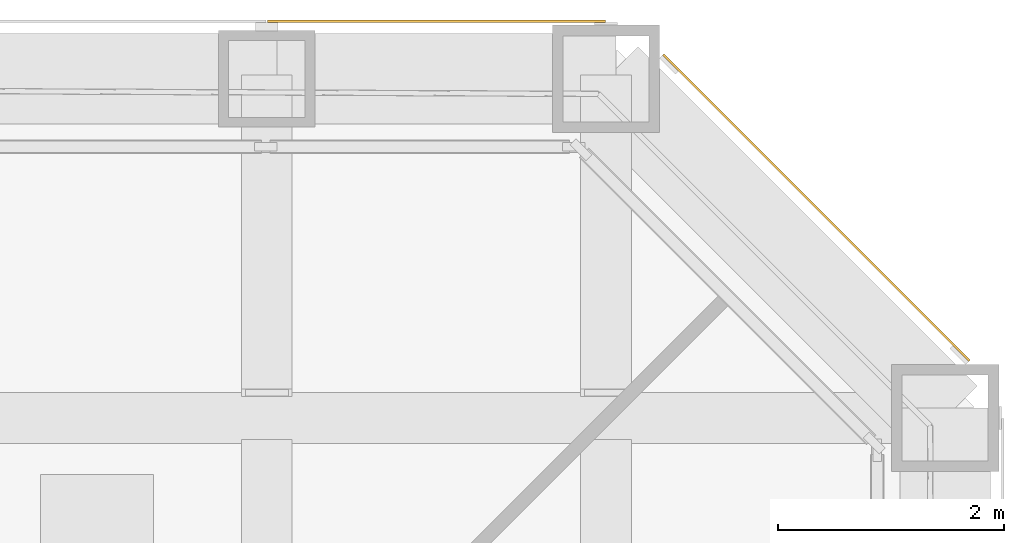
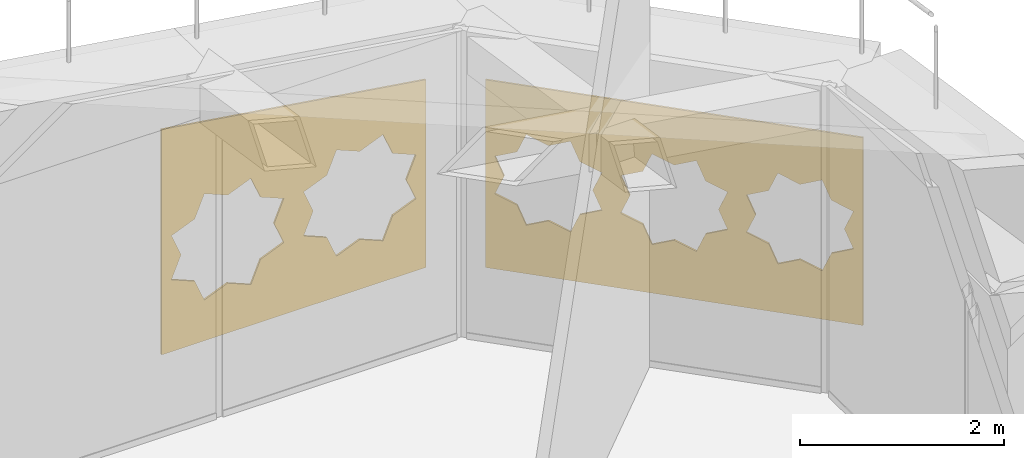
# One storey, part 31 of 31: 2 coverings.
"""IFC4 building model written with IfcOpenShell, lengths in metres."""

from ifc_helpers import new_model, si_unit, direction, frame, origin, place, context, subcontext, project, spatial, polyline, outline, extrude, material, layer, layer_set, type_object, element, save


model = new_model("IFC4")

# Units and contexts
model_context = context("Model", 3, precision=1e-05, world=origin(), true_north=direction((0.0, 1.0)))
body_context = subcontext(model_context, "Body", "Model", "MODEL_VIEW")
ifc_project = project(units=[si_unit("LENGTHUNIT", "METRE"), si_unit("AREAUNIT", "SQUARE_METRE"), si_unit("VOLUMEUNIT", "CUBIC_METRE"), si_unit("PLANEANGLEUNIT", "RADIAN"), si_unit("MASSUNIT", "GRAM", prefix="KILO")], contexts=[model_context])

# Site, building, storey
site_placement = place(None, origin())
site = spatial("IfcSite", under=ifc_project, at=site_placement, CompositionType="ELEMENT")
building_placement = place(site_placement, origin())
building = spatial("IfcBuilding", under=site, at=building_placement, Name="Chuquiago Exchange Tower", CompositionType="ELEMENT")
storey_placement = place(building_placement, frame((0.0, 0.0, 96.300048828125)))
storey = spatial("IfcBuildingStorey", under=building, at=storey_placement, Name="L20", CompositionType="ELEMENT", Elevation=96.300048828125)

# Coverings
ifc_material_1 = material(Name="Anodised aluminium, pale", Category="aluminium")
ifc_layer_1 = layer(ifc_material_1, 0.02001953125)
ifc_layer_set_1 = layer_set([ifc_layer_1], Name="GC1 girih cladding panel 20")
covering_type_1 = type_object("IfcCoveringType", Name="GC1 girih cladding panel 20", PredefinedType="CLADDING", material=ifc_layer_set_1)
covering_1_placement = place(storey_placement, frame((41.9951171875, 45.5, 0.050048828125), z_axis=(0.0, 0.0, 1.0), x_axis=(-1.0, 0.0, 0.0)))
element("IfcCovering", 1, at=covering_1_placement, inside=storey, type_object=covering_type_1, Name="Girih cladding panel L20 N 1", PredefinedType="CLADDING", context=body_context, shape_type="SweptSolid", body=[
    extrude(outline(polyline([(0.0, 0.0), (2.989990234375, 0.0), (2.989990234375, 2.695556640625), (0.0, 2.24609375), (0.0, 0.0)]), holes=[polyline([(1.27392578125, 1.123046875), (1.3828125, 1.38623046875), (1.11962890625, 1.4951171875), (1.0107421875, 1.75830078125), (0.74755859375, 1.6494140625), (0.484375, 1.75830078125), (0.375244140625, 1.4951171875), (0.112060546875, 1.38623046875), (0.22119140625, 1.123046875), (0.112060546875, 0.85986328125), (0.375244140625, 0.7509765625), (0.484375, 0.48779296875), (0.74755859375, 0.5966796875), (1.0107421875, 0.48779296875), (1.11962890625, 0.7509765625), (1.3828125, 0.85986328125), (1.27392578125, 1.123046875)]), polyline([(2.768798828125, 1.123046875), (2.8779296875, 1.38623046875), (2.61474609375, 1.4951171875), (2.505615234375, 1.75830078125), (2.242431640625, 1.6494140625), (1.979248046875, 1.75830078125), (1.870361328125, 1.4951171875), (1.607177734375, 1.38623046875), (1.716064453125, 1.123046875), (1.607177734375, 0.85986328125), (1.870361328125, 0.7509765625), (1.979248046875, 0.48779296875), (2.242431640625, 0.5966796875), (2.505615234375, 0.48779296875), (2.61474609375, 0.7509765625), (2.8779296875, 0.85986328125), (2.768798828125, 1.123046875)])]), frame((0.0, 0.0, 0.0), z_axis=(0.0, -1.0, 0.0), x_axis=(1.0, 0.0, 0.0)), (0.0, 0.0, 1.0), 0.02001953125),
])
ifc_material_2 = material(Name="Anodised aluminium, pale", Category="aluminium")
ifc_layer_2 = layer(ifc_material_2, 0.02001953125)
ifc_layer_set_2 = layer_set([ifc_layer_2], Name="GC6 girih cladding panel 20")
covering_type_2 = type_object("IfcCoveringType", Name="GC6 girih cladding panel 20", PredefinedType="CLADDING", material=ifc_layer_set_2)
covering_2_placement = place(storey_placement, frame((45.20703125, 42.5, 0.050048828125), z_axis=(0.0, 0.0, 1.0), x_axis=(-0.707106781187, 0.707106781187, 0.0)))
element("IfcCovering", 2, at=covering_2_placement, inside=storey, type_object=covering_type_2, Name="Girih cladding panel L20 NE 1", PredefinedType="CLADDING", context=body_context, shape_type="SweptSolid", body=[
    extrude(outline(polyline([(0.0, 0.0), (3.828369140625, 0.0), (3.828369140625, 2.245361328125), (0.0, 2.245361328125), (0.0, 0.0)]), holes=[polyline([(1.08740234375, 1.12255859375), (1.180419921875, 1.347412109375), (0.955810546875, 1.440185546875), (0.86279296875, 1.6650390625), (0.63818359375, 1.572021484375), (0.413330078125, 1.6650390625), (0.3203125, 1.440185546875), (0.095703125, 1.347412109375), (0.188720703125, 1.12255859375), (0.095703125, 0.89794921875), (0.3203125, 0.804931640625), (0.413330078125, 0.580322265625), (0.637939453125, 0.67333984375), (0.86279296875, 0.580322265625), (0.955810546875, 0.804931640625), (1.180419921875, 0.89794921875), (1.08740234375, 1.12255859375)]), polyline([(2.36328125, 1.12255859375), (2.45654296875, 1.347412109375), (2.231689453125, 1.440185546875), (2.138916015625, 1.6650390625), (1.914306640625, 1.572021484375), (1.689453125, 1.6650390625), (1.596435546875, 1.440185546875), (1.371826171875, 1.347412109375), (1.46484375, 1.12255859375), (1.371826171875, 0.89794921875), (1.596435546875, 0.804931640625), (1.689453125, 0.580322265625), (1.914306640625, 0.67333984375), (2.138916015625, 0.580322265625), (2.231689453125, 0.804931640625), (2.45654296875, 0.89794921875), (2.36328125, 1.12255859375)]), polyline([(3.639404296875, 1.12255859375), (3.732666015625, 1.347412109375), (3.5078125, 1.440185546875), (3.414794921875, 1.6650390625), (3.190185546875, 1.572021484375), (2.965576171875, 1.6650390625), (2.87255859375, 1.440185546875), (2.64794921875, 1.347412109375), (2.740966796875, 1.12255859375), (2.64794921875, 0.89794921875), (2.87255859375, 0.804931640625), (2.965576171875, 0.580322265625), (3.190185546875, 0.67333984375), (3.414794921875, 0.580322265625), (3.5078125, 0.804931640625), (3.732666015625, 0.89794921875), (3.639404296875, 1.12255859375)])]), frame((0.0, 0.0, 0.0), z_axis=(0.0, -1.0, 0.0), x_axis=(1.0, 0.0, 0.0)), (0.0, 0.0, 1.0), 0.02001953125),
])

save(model, "model.ifc")
